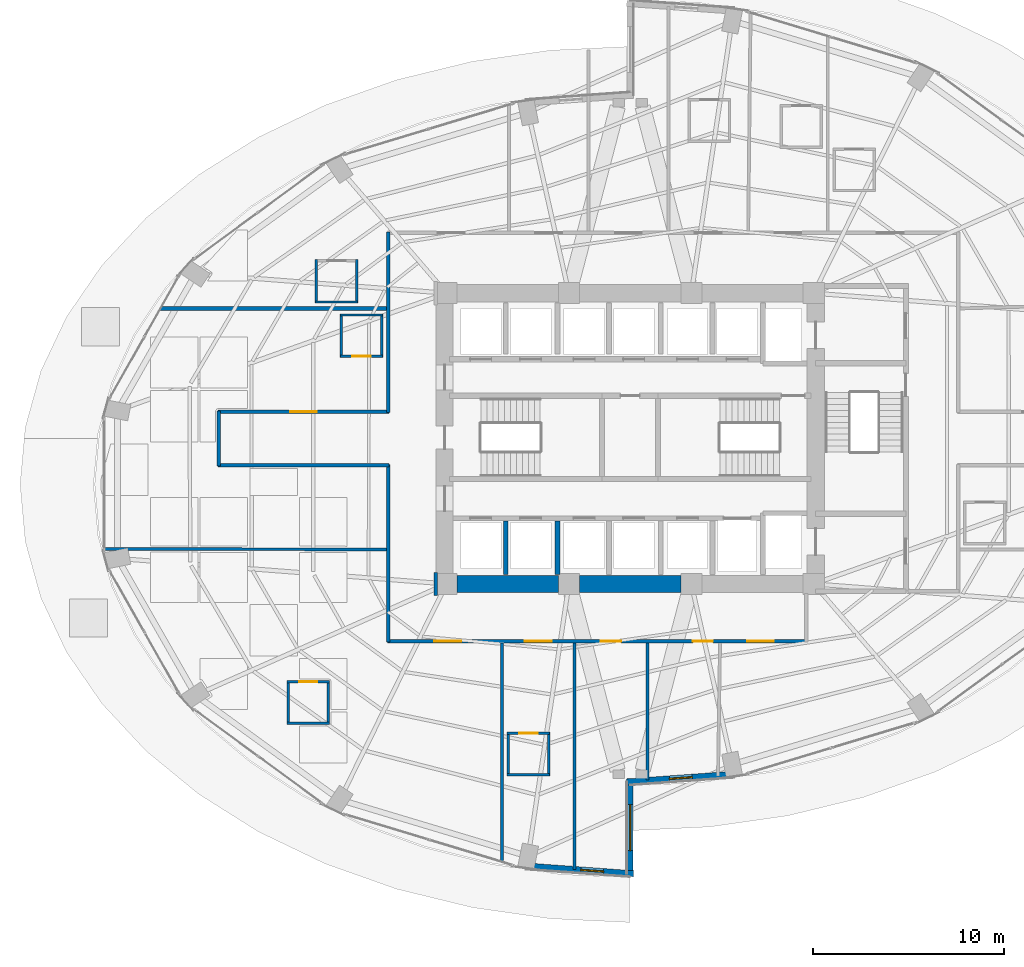
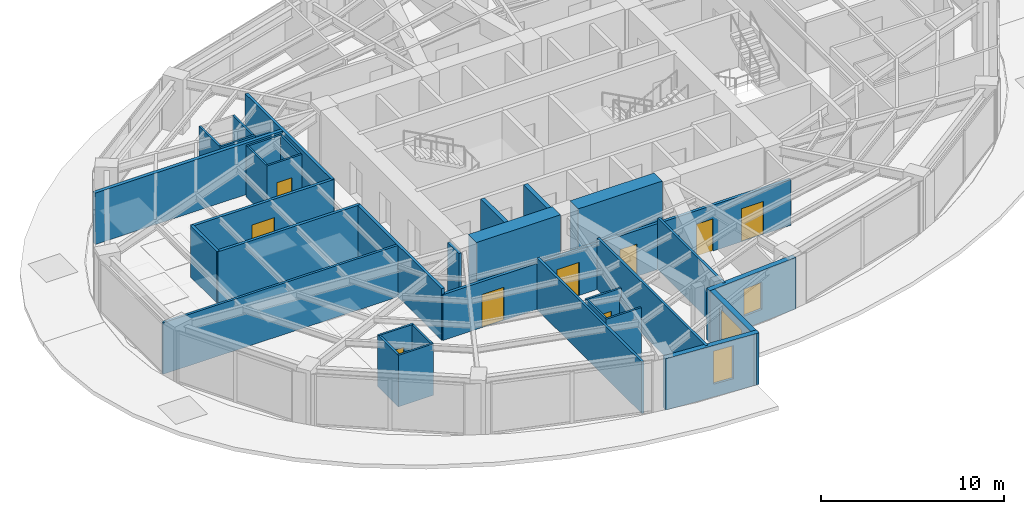
# One storey, part 20 of 25: 34 walls, 9 doors, 3 windows, 12 openings.
"""IFC4 building model written with IfcOpenShell, lengths in metres."""

from ifc_helpers import new_model, si_unit, direction, frame, frame_2d, origin, place, context, subcontext, project, spatial, rectangle, extrude, material, layer, layer_set, type_object, element, fill, save


model = new_model("IFC4")

# Units and contexts
model_context = context("Model", 3, precision=1e-05, world=origin(), true_north=direction((0.0, 1.0)))
body_context = subcontext(model_context, "Body", "Model", "MODEL_VIEW")
ifc_project = project(units=[si_unit("LENGTHUNIT", "METRE"), si_unit("AREAUNIT", "SQUARE_METRE"), si_unit("VOLUMEUNIT", "CUBIC_METRE"), si_unit("PLANEANGLEUNIT", "RADIAN"), si_unit("MASSUNIT", "GRAM", prefix="KILO")], contexts=[model_context])

# Site, building, storey
site_placement = place(None, origin())
site = spatial("IfcSite", under=ifc_project, at=site_placement, CompositionType="ELEMENT")
building_placement = place(site_placement, origin())
building = spatial("IfcBuilding", under=site, at=building_placement, Name="Lazwardi Medical Tower", CompositionType="ELEMENT")
storey_placement = place(building_placement, frame((0.0, 0.0, 25.199951171875)))
storey = spatial("IfcBuildingStorey", under=building, at=storey_placement, Name="L05", CompositionType="ELEMENT", Elevation=25.199951171875)

# Wall
ifc_material_1 = material(Name="Fire-rated gypsum board on steel stud", Category="steel")
ifc_layer_1 = layer(ifc_material_1, 0.179931640625)
ifc_layer_set_1 = layer_set([ifc_layer_1], Name="Fire-rated gypsum board on steel stud")
wall_type_1 = type_object("IfcWallType", Name="WL-COR-180", PredefinedType="PARTITIONING", material=ifc_layer_set_1)
wall_1_placement = place(storey_placement, frame((14.5, 26.56005859375, 0.0), z_axis=(0.0, 0.0, 1.0), x_axis=(0.0, 1.0, 0.0)))
element("IfcWall", 1, at=wall_1_placement, inside=storey, type_object=wall_type_1, Name="L05 Corridor partition 1", PredefinedType="PARTITIONING", context=body_context, shape_type="SweptSolid", body=[
    extrude(rectangle(XDim=2.8798828125, YDim=0.179931640625, at=frame_2d((1.43994140625, 0.0))), origin(), (0.0, 0.0, 1.0), 3.427978515625),
])

# Wall, opening, door
wall_2_placement = place(storey_placement, frame((14.4599609375, 29.39990234375, 0.0), z_axis=(0.0, 0.0, 1.0), x_axis=(1.0, 0.0, 0.0)))
wall_2 = element("IfcWall", 2, at=wall_2_placement, inside=storey, type_object=wall_type_1, Name="L05 Corridor partition 2", PredefinedType="PARTITIONING", context=body_context, shape_type="SweptSolid", body=[
    extrude(rectangle(XDim=8.929931640625, YDim=0.179931640625, at=frame_2d((4.46484375, 0.0))), origin(), (0.0, 0.0, 1.0), 3.427978515625),
])
opening_1_placement = place(wall_2_placement, frame((3.764892578125, 0.0, 0.0)))
opening_1 = element("IfcOpeningElement", 3, at=opening_1_placement, cuts=wall_2, Name="Opening D-L05-026", PredefinedType="OPENING", context=body_context, shape_type="SweptSolid", body=[
    extrude(rectangle(XDim=1.39990234375, YDim=2.199951171875, at=frame_2d((0.699951171875, 1.10009765625))), frame((0.0, 0.099853515625, 0.0), z_axis=(0.0, -1.0, 0.0), x_axis=(1.0, 0.0, 0.0)), (0.0, 0.0, 1.0), 0.199951171875),
])
ifc_material_2 = material(Name="Anti-microbial laminate hospital leaf")
door_type_1 = type_object("IfcDoorType", Name="DR-BED-1400", OperationType="NOTDEFINED", PredefinedType="DOOR", material=ifc_material_2)
door_1_placement = place(opening_1_placement, origin())
door_1 = element("IfcDoor", 4, at=door_1_placement, inside=storey, type_object=door_type_1, Name="L05 Inpatient Ward Door 13", OperationType="SINGLE_SWING_LEFT", OverallHeight=2.199951171875, OverallWidth=1.39990234375, PredefinedType="DOOR", context=body_context, shape_type="SweptSolid", body=[
    extrude(rectangle(XDim=1.39990234375, YDim=2.199951171875, at=frame_2d((0.699951171875, 1.10009765625))), frame((0.0, 0.02490234375, 0.0), z_axis=(0.0, -1.0, 0.0), x_axis=(1.0, 0.0, 0.0)), (0.0, 0.0, 1.0), 0.050048828125),
])
fill(opening_1, door_1)

# Walls
wall_3_placement = place(storey_placement, frame((23.35009765625, 29.360107421875, 0.0), z_axis=(0.0, 0.0, 1.0), x_axis=(0.0, 1.0, 0.0)))
element("IfcWall", 5, at=wall_3_placement, inside=storey, type_object=wall_type_1, Name="L05 Corridor partition 3", PredefinedType="PARTITIONING", context=body_context, shape_type="SweptSolid", body=[
    extrude(rectangle(XDim=9.429931640625, YDim=0.179931640625, at=frame_2d((4.71484375, 0.0))), origin(), (0.0, 0.0, 1.0), 3.427978515625),
])
wall_4_placement = place(storey_placement, frame((25.830078125, 21.010009765625, 0.0), z_axis=(0.0, 0.0, 1.0), x_axis=(0.0, -1.0, 0.0)))
element("IfcWall", 6, at=wall_4_placement, inside=storey, type_object=wall_type_1, Name="L05 Corridor partition 13", PredefinedType="PARTITIONING", context=body_context, shape_type="SweptSolid", body=[
    extrude(rectangle(XDim=1.219970703125, YDim=0.179931640625, at=frame_2d((0.60986328125, 0.0))), origin(), (0.0, 0.0, 1.0), 3.427978515625),
])

# Wall, openings, doors
wall_5_placement = place(storey_placement, frame((45.239990234375, 17.39990234375, 0.0), z_axis=(0.0, 0.0, 1.0), x_axis=(-1.0, 0.0, 0.0)))
wall_5 = element("IfcWall", 7, at=wall_5_placement, inside=storey, type_object=wall_type_1, Name="L05 Corridor partition 15", PredefinedType="PARTITIONING", context=body_context, shape_type="SweptSolid", body=[
    extrude(rectangle(XDim=21.929931640625, YDim=0.179931640625, at=frame_2d((10.96484375, 0.0))), origin(), (0.0, 0.0, 1.0), 3.052978515625),
])
opening_2_placement = place(wall_5_placement, frame((18.075927734375, 0.0, 0.0)))
opening_2 = element("IfcOpeningElement", 8, at=opening_2_placement, cuts=wall_5, Name="Opening D-L05-014", PredefinedType="OPENING", context=body_context, shape_type="SweptSolid", body=[
    extrude(rectangle(XDim=1.39990234375, YDim=2.199951171875, at=frame_2d((0.699951171875, 1.10009765625))), frame((0.0, 0.099853515625, 0.0), z_axis=(0.0, -1.0, 0.0), x_axis=(1.0, 0.0, 0.0)), (0.0, 0.0, 1.0), 0.199951171875),
])
opening_3_placement = place(wall_5_placement, frame((13.340087890625, 0.0, 0.0)))
opening_3 = element("IfcOpeningElement", 9, at=opening_3_placement, cuts=wall_5, Name="Opening D-L05-015", PredefinedType="OPENING", context=body_context, shape_type="SweptSolid", body=[
    extrude(rectangle(XDim=1.39990234375, YDim=2.199951171875, at=frame_2d((0.699951171875, 1.10009765625))), frame((0.0, 0.099853515625, 0.0), z_axis=(0.0, -1.0, 0.0), x_axis=(1.0, 0.0, 0.0)), (0.0, 0.0, 1.0), 0.199951171875),
])
opening_4_placement = place(wall_5_placement, frame((9.715087890625, 0.0, 0.0)))
opening_4 = element("IfcOpeningElement", 10, at=opening_4_placement, cuts=wall_5, Name="Opening D-L05-016", PredefinedType="OPENING", context=body_context, shape_type="SweptSolid", body=[
    extrude(rectangle(XDim=1.050048828125, YDim=2.14990234375, at=frame_2d((0.52490234375, 1.074951171875))), frame((0.0, 0.099853515625, 0.0), z_axis=(0.0, -1.0, 0.0), x_axis=(1.0, 0.0, 0.0)), (0.0, 0.0, 1.0), 0.199951171875),
])
opening_5_placement = place(wall_5_placement, frame((4.91552734375, 0.0, 0.0)))
opening_5 = element("IfcOpeningElement", 11, at=opening_5_placement, cuts=wall_5, Name="Opening D-L05-017", PredefinedType="OPENING", context=body_context, shape_type="SweptSolid", body=[
    extrude(rectangle(XDim=1.050048828125, YDim=2.14990234375, at=frame_2d((0.52490234375, 1.074951171875))), frame((0.0, 0.099853515625, 0.0), z_axis=(0.0, -1.0, 0.0), x_axis=(1.0, 0.0, 0.0)), (0.0, 0.0, 1.0), 0.199951171875),
])
opening_6_placement = place(wall_5_placement, frame((1.7294921875, 0.0, 0.0)))
opening_6 = element("IfcOpeningElement", 12, at=opening_6_placement, cuts=wall_5, Name="Opening D-L05-018", PredefinedType="OPENING", context=body_context, shape_type="SweptSolid", body=[
    extrude(rectangle(XDim=1.39990234375, YDim=2.199951171875, at=frame_2d((0.699951171875, 1.10009765625))), frame((0.0, 0.099853515625, 0.0), z_axis=(0.0, -1.0, 0.0), x_axis=(1.0, 0.0, 0.0)), (0.0, 0.0, 1.0), 0.199951171875),
])
door_2_placement = place(opening_2_placement, origin())
door_2 = element("IfcDoor", 13, at=door_2_placement, inside=storey, type_object=door_type_1, Name="L05 Inpatient Ward Door 01", OperationType="SINGLE_SWING_RIGHT", OverallHeight=2.199951171875, OverallWidth=1.39990234375, PredefinedType="DOOR", context=body_context, shape_type="SweptSolid", body=[
    extrude(rectangle(XDim=1.39990234375, YDim=2.199951171875, at=frame_2d((0.699951171875, 1.10009765625))), frame((0.0, 0.02490234375, 0.0), z_axis=(0.0, -1.0, 0.0), x_axis=(1.0, 0.0, 0.0)), (0.0, 0.0, 1.0), 0.050048828125),
])
fill(opening_2, door_2)
door_3_placement = place(opening_3_placement, origin())
door_3 = element("IfcDoor", 14, at=door_3_placement, inside=storey, type_object=door_type_1, Name="L05 Inpatient Ward Door 02", OperationType="SINGLE_SWING_RIGHT", OverallHeight=2.199951171875, OverallWidth=1.39990234375, PredefinedType="DOOR", context=body_context, shape_type="SweptSolid", body=[
    extrude(rectangle(XDim=1.39990234375, YDim=2.199951171875, at=frame_2d((0.699951171875, 1.10009765625))), frame((0.0, 0.02490234375, 0.0), z_axis=(0.0, -1.0, 0.0), x_axis=(1.0, 0.0, 0.0)), (0.0, 0.0, 1.0), 0.050048828125),
])
fill(opening_3, door_3)
door_4_placement = place(opening_6_placement, origin())
door_4 = element("IfcDoor", 15, at=door_4_placement, inside=storey, type_object=door_type_1, Name="L05 Inpatient Ward Door 05", OperationType="SINGLE_SWING_LEFT", OverallHeight=2.199951171875, OverallWidth=1.39990234375, PredefinedType="DOOR", context=body_context, shape_type="SweptSolid", body=[
    extrude(rectangle(XDim=1.39990234375, YDim=2.199951171875, at=frame_2d((0.699951171875, 1.10009765625))), frame((0.0, 0.02490234375, 0.0), z_axis=(0.0, -1.0, 0.0), x_axis=(1.0, 0.0, 0.0)), (0.0, 0.0, 1.0), 0.050048828125),
])
fill(opening_6, door_4)
door_type_2 = type_object("IfcDoorType", Name="DR-CLN-1050", OperationType="NOTDEFINED", PredefinedType="DOOR", material=ifc_material_2)
door_5_placement = place(opening_4_placement, origin())
door_5 = element("IfcDoor", 16, at=door_5_placement, inside=storey, type_object=door_type_2, Name="L05 Outpatient Clinic Door 03", OperationType="SINGLE_SWING_LEFT", OverallHeight=2.14990234375, OverallWidth=1.050048828125, PredefinedType="DOOR", context=body_context, shape_type="SweptSolid", body=[
    extrude(rectangle(XDim=1.050048828125, YDim=2.14990234375, at=frame_2d((0.52490234375, 1.074951171875))), frame((0.0, 0.02490234375, 0.0), z_axis=(0.0, -1.0, 0.0), x_axis=(1.0, 0.0, 0.0)), (0.0, 0.0, 1.0), 0.050048828125),
])
fill(opening_4, door_5)
door_6_placement = place(opening_5_placement, origin())
door_6 = element("IfcDoor", 17, at=door_6_placement, inside=storey, type_object=door_type_2, Name="L05 Patient Day Lounge Door 04", OperationType="SINGLE_SWING_RIGHT", OverallHeight=2.14990234375, OverallWidth=1.050048828125, PredefinedType="DOOR", context=body_context, shape_type="SweptSolid", body=[
    extrude(rectangle(XDim=1.050048828125, YDim=2.14990234375, at=frame_2d((0.52490234375, 1.074951171875))), frame((0.0, 0.02490234375, 0.0), z_axis=(0.0, -1.0, 0.0), x_axis=(1.0, 0.0, 0.0)), (0.0, 0.0, 1.0), 0.050048828125),
])
fill(opening_5, door_6)

# Walls
wall_6_placement = place(storey_placement, frame((23.35009765625, 17.360107421875, 0.0), z_axis=(0.0, 0.0, 1.0), x_axis=(0.0, 1.0, 0.0)))
element("IfcWall", 18, at=wall_6_placement, inside=storey, type_object=wall_type_1, Name="L05 Corridor partition 16", PredefinedType="PARTITIONING", context=body_context, shape_type="SweptSolid", body=[
    extrude(rectangle(XDim=9.27978515625, YDim=0.179931640625, at=frame_2d((4.639892578125, 0.0))), origin(), (0.0, 0.0, 1.0), 3.427978515625),
])
wall_7_placement = place(storey_placement, frame((23.389892578125, 26.60009765625, 0.0), z_axis=(0.0, 0.0, 1.0), x_axis=(-1.0, 0.0, 0.0)))
element("IfcWall", 19, at=wall_7_placement, inside=storey, type_object=wall_type_1, Name="L05 Corridor partition 17", PredefinedType="PARTITIONING", context=body_context, shape_type="SweptSolid", body=[
    extrude(rectangle(XDim=8.929931640625, YDim=0.179931640625, at=frame_2d((4.46484375, 0.0))), origin(), (0.0, 0.0, 1.0), 3.427978515625),
])
ifc_material_3 = material(Name="Concrete C80/95", Category="concrete")
ifc_layer_2 = layer(ifc_material_3, 0.89990234375)
ifc_layer_set_2 = layer_set([ifc_layer_2], Name="Concrete C80/95")
wall_type_2 = type_object("IfcWallType", Name="WL-CORE-900", PredefinedType="SHEAR", material=ifc_layer_set_2)
wall_8_placement = place(storey_placement, frame((26.949951171875, 20.39990234375, 0.0), z_axis=(0.0, 0.0, 1.0), x_axis=(1.0, 0.0, 0.0)))
element("IfcWall", 20, at=wall_8_placement, inside=storey, type_object=wall_type_2, Name="Core wall CW-S1 S1 L05", PredefinedType="SHEAR", context=body_context, shape_type="SweptSolid", body=[
    extrude(rectangle(XDim=5.300048828125, YDim=0.89990234375, at=frame_2d((2.64990234375, 0.0))), origin(), (0.0, 0.0, 1.0), 3.64794921875),
])
wall_9_placement = place(storey_placement, frame((33.35009765625, 20.39990234375, 0.0), z_axis=(0.0, 0.0, 1.0), x_axis=(1.0, 0.0, 0.0)))
element("IfcWall", 21, at=wall_9_placement, inside=storey, type_object=wall_type_2, Name="Core wall CW-S1 S2 L05", PredefinedType="SHEAR", context=body_context, shape_type="SweptSolid", body=[
    extrude(rectangle(XDim=5.2998046875, YDim=0.89990234375, at=frame_2d((2.64990234375, 0.0))), origin(), (0.0, 0.0, 1.0), 3.64794921875),
])

# Wall, opening, door
ifc_material_4 = material(Name="Moisture-resistant gypsum board partition")
ifc_layer_3 = layer(ifc_material_4, 0.125)
ifc_layer_set_3 = layer_set([ifc_layer_3], Name="Moisture-resistant gypsum board partition")
wall_type_3 = type_object("IfcWallType", Name="WL-ENS-125", PredefinedType="PARTITIONING", material=ifc_layer_set_3)
wall_10_placement = place(storey_placement, frame((18.057861328125, 15.285400390625, 0.0), z_axis=(0.0, 0.0, 1.0), x_axis=(1.0, 0.0, 0.0)))
wall_10 = element("IfcWall", 22, at=wall_10_placement, inside=storey, type_object=wall_type_3, Name="L05 En-suite wall 1N", PredefinedType="PARTITIONING", context=body_context, shape_type="SweptSolid", body=[
    extrude(rectangle(XDim=2.219970703125, YDim=0.125, at=frame_2d((1.10986328125, 0.0))), origin(), (0.0, 0.0, 1.0), 3.427978515625),
])
opening_7_placement = place(wall_10_placement, frame((0.635009765625, 0.0, 0.0)))
opening_7 = element("IfcOpeningElement", 23, at=opening_7_placement, cuts=wall_10, Name="Opening D-L05-002", PredefinedType="OPENING", context=body_context, shape_type="SweptSolid", body=[
    extrude(rectangle(XDim=0.949951171875, YDim=2.10009765625, at=frame_2d((0.47509765625, 1.050048828125))), frame((0.0, 0.072509765625, 0.0), z_axis=(0.0, -1.0, 0.0), x_axis=(1.0, 0.0, 0.0)), (0.0, 0.0, 1.0), 0.14501953125),
])
ifc_material_5 = material(Name="Moisture-resistant laminate door leaf")
door_type_3 = type_object("IfcDoorType", Name="DR-ENS-950", OperationType="NOTDEFINED", PredefinedType="DOOR", material=ifc_material_5)
door_7_placement = place(opening_7_placement, origin())
door_7 = element("IfcDoor", 24, at=door_7_placement, inside=storey, type_object=door_type_3, Name="L05 En-suite Door 01", OperationType="SINGLE_SWING_LEFT", OverallHeight=2.10009765625, OverallWidth=0.949951171875, PredefinedType="DOOR", context=body_context, shape_type="SweptSolid", body=[
    extrude(rectangle(XDim=0.949951171875, YDim=2.10009765625, at=frame_2d((0.47509765625, 1.050048828125))), frame((0.0, 0.02490234375, 0.0), z_axis=(0.0, -1.0, 0.0), x_axis=(1.0, 0.0, 0.0)), (0.0, 0.0, 1.0), 0.050048828125),
])
fill(opening_7, door_7)

# Walls
wall_11_placement = place(storey_placement, frame((18.057861328125, 13.12548828125, 0.0), z_axis=(0.0, 0.0, 1.0), x_axis=(1.0, 0.0, 0.0)))
element("IfcWall", 25, at=wall_11_placement, inside=storey, type_object=wall_type_3, Name="L05 En-suite wall 1S", PredefinedType="PARTITIONING", context=body_context, shape_type="SweptSolid", body=[
    extrude(rectangle(XDim=2.219970703125, YDim=0.125, at=frame_2d((1.10986328125, 0.0))), origin(), (0.0, 0.0, 1.0), 3.427978515625),
])
for number, where, z_axis, x_axis, name in (
    (26, (20.218017578125, 13.0654296875, 0.0), (0.0, 0.0, 1.0), (0.0, 1.0, 0.0), "L05 En-suite wall 1E"),
    (27, (18.117919921875, 13.0654296875, 0.0), (0.0, 0.0, 1.0), (0.0, 1.0, 0.0), "L05 En-suite wall 1W"),
):
    element("IfcWall", number, at=place(storey_placement, frame(where, z_axis=z_axis, x_axis=x_axis)), inside=storey, type_object=wall_type_3, Name=name, PredefinedType="PARTITIONING", context=body_context, shape_type="SweptSolid", body=[
        extrude(rectangle(XDim=2.280029296875, YDim=0.125, at=frame_2d((1.14013671875, 0.0))), origin(), (0.0, 0.0, 1.0), 3.427978515625),
    ])

# Wall, opening, door
wall_12_placement = place(storey_placement, frame((29.574951171875, 12.58935546875, 0.0), z_axis=(0.0, 0.0, 1.0), x_axis=(1.0, 0.0, 0.0)))
wall_12 = element("IfcWall", 28, at=wall_12_placement, inside=storey, type_object=wall_type_3, Name="L05 En-suite wall 2N", PredefinedType="PARTITIONING", context=body_context, shape_type="SweptSolid", body=[
    extrude(rectangle(XDim=2.219970703125, YDim=0.125, at=frame_2d((1.10986328125, 0.0))), origin(), (0.0, 0.0, 1.0), 3.427978515625),
])
opening_8_placement = place(wall_12_placement, frame((0.635009765625, 0.0, 0.0)))
opening_8 = element("IfcOpeningElement", 29, at=opening_8_placement, cuts=wall_12, Name="Opening D-L05-003", PredefinedType="OPENING", context=body_context, shape_type="SweptSolid", body=[
    extrude(rectangle(XDim=0.949951171875, YDim=2.10009765625, at=frame_2d((0.47509765625, 1.050048828125))), frame((0.0, 0.072509765625, 0.0), z_axis=(0.0, -1.0, 0.0), x_axis=(1.0, 0.0, 0.0)), (0.0, 0.0, 1.0), 0.14501953125),
])
door_8_placement = place(opening_8_placement, origin())
door_8 = element("IfcDoor", 30, at=door_8_placement, inside=storey, type_object=door_type_3, Name="L05 En-suite Door 02", OperationType="SINGLE_SWING_LEFT", OverallHeight=2.10009765625, OverallWidth=0.949951171875, PredefinedType="DOOR", context=body_context, shape_type="SweptSolid", body=[
    extrude(rectangle(XDim=0.949951171875, YDim=2.10009765625, at=frame_2d((0.47509765625, 1.050048828125))), frame((0.0, 0.02490234375, 0.0), z_axis=(0.0, -1.0, 0.0), x_axis=(1.0, 0.0, 0.0)), (0.0, 0.0, 1.0), 0.050048828125),
])
fill(opening_8, door_8)

# Walls
wall_13_placement = place(storey_placement, frame((29.574951171875, 10.42919921875, 0.0), z_axis=(0.0, 0.0, 1.0), x_axis=(1.0, 0.0, 0.0)))
element("IfcWall", 31, at=wall_13_placement, inside=storey, type_object=wall_type_3, Name="L05 En-suite wall 2S", PredefinedType="PARTITIONING", context=body_context, shape_type="SweptSolid", body=[
    extrude(rectangle(XDim=2.219970703125, YDim=0.125, at=frame_2d((1.10986328125, 0.0))), origin(), (0.0, 0.0, 1.0), 3.427978515625),
])
wall_14_placement = place(storey_placement, frame((31.735107421875, 10.369384765625, 0.0), z_axis=(0.0, 0.0, 1.0), x_axis=(0.0, 1.0, 0.0)))
element("IfcWall", 32, at=wall_14_placement, inside=storey, type_object=wall_type_3, Name="L05 En-suite wall 2E", PredefinedType="PARTITIONING", context=body_context, shape_type="SweptSolid", body=[
    extrude(rectangle(XDim=2.280029296875, YDim=0.125, at=frame_2d((1.14013671875, 0.0))), origin(), (0.0, 0.0, 1.0), 2.81298828125),
])
wall_15_placement = place(storey_placement, frame((29.635009765625, 10.369384765625, 0.0), z_axis=(0.0, 0.0, 1.0), x_axis=(0.0, 1.0, 0.0)))
element("IfcWall", 33, at=wall_15_placement, inside=storey, type_object=wall_type_3, Name="L05 En-suite wall 2W", PredefinedType="PARTITIONING", context=body_context, shape_type="SweptSolid", body=[
    extrude(rectangle(XDim=2.280029296875, YDim=0.125, at=frame_2d((1.14013671875, 0.0))), origin(), (0.0, 0.0, 1.0), 3.427978515625),
])
wall_16_placement = place(storey_placement, frame((19.53759765625, 35.139892578125, 0.0), z_axis=(0.0, 0.0, 1.0), x_axis=(1.0, 0.0, 0.0)))
element("IfcWall", 34, at=wall_16_placement, inside=storey, type_object=wall_type_3, Name="L05 En-suite wall 12S", PredefinedType="PARTITIONING", context=body_context, shape_type="SweptSolid", body=[
    extrude(rectangle(XDim=2.219970703125, YDim=0.125, at=frame_2d((1.10986328125, 0.0))), origin(), (0.0, 0.0, 1.0), 3.427978515625),
])
for number, where, z_axis, x_axis, name in (
    (35, (21.697509765625, 35.080078125, 0.0), (0.0, 0.0, 1.0), (0.0, 1.0, 0.0), "L05 En-suite wall 12E"),
    (36, (19.597412109375, 35.080078125, 0.0), (0.0, 0.0, 1.0), (0.0, 1.0, 0.0), "L05 En-suite wall 12W"),
):
    element("IfcWall", number, at=place(storey_placement, frame(where, z_axis=z_axis, x_axis=x_axis)), inside=storey, type_object=wall_type_3, Name=name, PredefinedType="PARTITIONING", context=body_context, shape_type="SweptSolid", body=[
        extrude(rectangle(XDim=2.280029296875, YDim=0.125, at=frame_2d((1.14013671875, 0.0))), origin(), (0.0, 0.0, 1.0), 3.427978515625),
    ])
wall_17_placement = place(storey_placement, frame((20.844970703125, 34.4599609375, 0.0), z_axis=(0.0, 0.0, 1.0), x_axis=(1.0, 0.0, 0.0)))
element("IfcWall", 37, at=wall_17_placement, inside=storey, type_object=wall_type_3, Name="L05 En-suite wall 13N", PredefinedType="PARTITIONING", context=body_context, shape_type="SweptSolid", body=[
    extrude(rectangle(XDim=2.219970703125, YDim=0.125, at=frame_2d((1.10986328125, 0.0))), origin(), (0.0, 0.0, 1.0), 3.427978515625),
])

# Wall, opening, door
wall_18_placement = place(storey_placement, frame((20.844970703125, 32.300048828125, 0.0), z_axis=(0.0, 0.0, 1.0), x_axis=(1.0, 0.0, 0.0)))
wall_18 = element("IfcWall", 38, at=wall_18_placement, inside=storey, type_object=wall_type_3, Name="L05 En-suite wall 13S", PredefinedType="PARTITIONING", context=body_context, shape_type="SweptSolid", body=[
    extrude(rectangle(XDim=2.219970703125, YDim=0.125, at=frame_2d((1.10986328125, 0.0))), origin(), (0.0, 0.0, 1.0), 3.427978515625),
])
opening_9_placement = place(wall_18_placement, frame((0.635009765625, 0.0, 0.0)))
opening_9 = element("IfcOpeningElement", 39, at=opening_9_placement, cuts=wall_18, Name="Opening D-L05-009", PredefinedType="OPENING", context=body_context, shape_type="SweptSolid", body=[
    extrude(rectangle(XDim=0.949951171875, YDim=2.10009765625, at=frame_2d((0.47509765625, 1.050048828125))), frame((0.0, 0.072509765625, 0.0), z_axis=(0.0, -1.0, 0.0), x_axis=(1.0, 0.0, 0.0)), (0.0, 0.0, 1.0), 0.14501953125),
])
door_9_placement = place(opening_9_placement, origin())
door_9 = element("IfcDoor", 40, at=door_9_placement, inside=storey, type_object=door_type_3, Name="L05 En-suite Door 13", OperationType="SINGLE_SWING_RIGHT", OverallHeight=2.10009765625, OverallWidth=0.949951171875, PredefinedType="DOOR", context=body_context, shape_type="SweptSolid", body=[
    extrude(rectangle(XDim=0.949951171875, YDim=2.10009765625, at=frame_2d((0.47509765625, 1.050048828125))), frame((0.0, 0.02490234375, 0.0), z_axis=(0.0, -1.0, 0.0), x_axis=(1.0, 0.0, 0.0)), (0.0, 0.0, 1.0), 0.050048828125),
])
fill(opening_9, door_9)

# Walls
for number, where, z_axis, x_axis, name in (
    (41, (23.0048828125, 32.239990234375, 0.0), (0.0, 0.0, 1.0), (0.0, 1.0, 0.0), "L05 En-suite wall 13E"),
    (42, (20.905029296875, 32.239990234375, 0.0), (0.0, 0.0, 1.0), (0.0, 1.0, 0.0), "L05 En-suite wall 13W"),
):
    element("IfcWall", number, at=place(storey_placement, frame(where, z_axis=z_axis, x_axis=x_axis)), inside=storey, type_object=wall_type_3, Name=name, PredefinedType="PARTITIONING", context=body_context, shape_type="SweptSolid", body=[
        extrude(rectangle(XDim=2.280029296875, YDim=0.125, at=frame_2d((1.14013671875, 0.0))), origin(), (0.0, 0.0, 1.0), 3.427978515625),
    ])

# Wall, opening, window
ifc_material_6 = material(Name="Precast concrete C45/55", Category="concrete")
ifc_layer_4 = layer(ifc_material_6, 0.320068359375)
ifc_layer_set_4 = layer_set([ifc_layer_4], Name="Precast concrete C45/55")
wall_type_4 = type_object("IfcWallType", Name="WL-IWAN-320", PredefinedType="SOLIDWALL", material=ifc_layer_set_4)
wall_19_placement = place(storey_placement, frame((35.820556640625, 10.047119140625, 0.0), z_axis=(0.0, 0.0, 1.0), x_axis=(0.997422321809, 0.071754525696, 0.0)))
wall_19 = element("IfcWall", 43, at=wall_19_placement, inside=storey, type_object=wall_type_4, Name="L05 Iwan Portal Return Wall SE_ret", PredefinedType="SOLIDWALL", context=body_context, shape_type="SweptSolid", body=[
    extrude(rectangle(XDim=5.67529296875, YDim=0.320068359375, at=frame_2d((2.837646484375, 0.0))), origin(), (0.0, 0.0, 1.0), 3.427978515625),
])
opening_10_placement = place(wall_19_placement, frame((2.23779296875, 0.0, 0.85009765625)))
opening_10 = element("IfcOpeningElement", 44, at=opening_10_placement, cuts=wall_19, Name="Opening WN-04", PredefinedType="OPENING", context=body_context, shape_type="SweptSolid", body=[
    extrude(rectangle(XDim=1.199951171875, YDim=1.800048828125, at=frame_2d((0.60009765625, 0.89990234375))), frame((0.0, 0.169921875, 0.0), z_axis=(0.0, -1.0, 0.0), x_axis=(1.0, 0.0, 0.0)), (0.0, 0.0, 1.0), 0.340087890625),
])
ifc_material_7 = material(Name="Low-e bronze solar control double glazing", Category="glass")
window_type_1 = type_object("IfcWindowType", Name="WIN-DRUM-1200", PartitioningType="SINGLE_PANEL", PredefinedType="WINDOW", material=ifc_material_7)
window_1_placement = place(opening_10_placement, origin())
window_1 = element("IfcWindow", 45, at=window_1_placement, inside=storey, type_object=window_type_1, Name="L05 Iwan Slot Window SE_ret", OverallHeight=1.800048828125, OverallWidth=1.199951171875, PartitioningType="SINGLE_PANEL", PredefinedType="WINDOW", context=body_context, shape_type="SweptSolid", body=[
    extrude(rectangle(XDim=1.199951171875, YDim=1.800048828125, at=frame_2d((0.60009765625, 0.89990234375))), frame((0.0, 0.030029296875, 0.0), z_axis=(0.0, -1.0, 0.0), x_axis=(1.0, 0.0, 0.0)), (0.0, 0.0, 1.0), 0.06005859375),
])
fill(opening_10, window_1)

wall_20_placement = place(storey_placement, frame((30.518798828125, 5.654296875, 0.0), z_axis=(0.0, 0.0, 1.0), x_axis=(0.997421878774, -0.071760683825, 0.0)))
wall_20 = element("IfcWall", 46, at=wall_20_placement, inside=storey, type_object=wall_type_4, Name="L05 Iwan Portal Return Wall SW_ret", PredefinedType="SOLIDWALL", context=body_context, shape_type="SweptSolid", body=[
    extrude(rectangle(XDim=5.6748046875, YDim=0.320068359375, at=frame_2d((2.83740234375, 0.0))), origin(), (0.0, 0.0, 1.0), 3.427978515625),
])
opening_11_placement = place(wall_20_placement, frame((2.902587890625, 0.0, 0.85009765625)))
opening_11 = element("IfcOpeningElement", 47, at=opening_11_placement, cuts=wall_20, Name="Opening WN-01", PredefinedType="OPENING", context=body_context, shape_type="SweptSolid", body=[
    extrude(rectangle(XDim=1.199951171875, YDim=2.199951171875, at=frame_2d((0.60009765625, 1.10009765625))), frame((0.0, 0.169921875, 0.0), z_axis=(0.0, -1.0, 0.0), x_axis=(1.0, 0.0, 0.0)), (0.0, 0.0, 1.0), 0.340087890625),
])
window_type_2 = type_object("IfcWindowType", Name="WIN-IW-1200", PartitioningType="SINGLE_PANEL", PredefinedType="WINDOW", material=ifc_material_7)
window_2_placement = place(opening_11_placement, origin())
window_2 = element("IfcWindow", 48, at=window_2_placement, inside=storey, type_object=window_type_2, Name="L05 Iwan Slot Window SW_ret", OverallHeight=2.199951171875, OverallWidth=1.199951171875, PartitioningType="SINGLE_PANEL", PredefinedType="WINDOW", context=body_context, shape_type="SweptSolid", body=[
    extrude(rectangle(XDim=1.199951171875, YDim=2.199951171875, at=frame_2d((0.60009765625, 1.10009765625))), frame((0.0, 0.030029296875, 0.0), z_axis=(0.0, -1.0, 0.0), x_axis=(1.0, 0.0, 0.0)), (0.0, 0.0, 1.0), 0.06005859375),
])
fill(opening_11, window_2)

wall_21_placement = place(storey_placement, frame((36.0, 5.10009765625, 0.0), z_axis=(0.0, 0.0, 1.0), x_axis=(0.0, 1.0, 0.0)))
wall_21 = element("IfcWall", 49, at=wall_21_placement, inside=storey, type_object=wall_type_4, Name="L05 Turquoise Tilework Iwan Seam Wall S_seam", PredefinedType="SOLIDWALL", context=body_context, shape_type="SweptSolid", body=[
    extrude(rectangle(XDim=5.119873046875, YDim=0.320068359375, at=frame_2d((2.56005859375, 0.0))), origin(), (0.0, 0.0, 1.0), 3.427978515625),
])
opening_12_placement = place(wall_21_placement, frame((1.360107421875, 0.0, 0.840087890625)))
opening_12 = element("IfcOpeningElement", 50, at=opening_12_placement, cuts=wall_21, Name="Opening WN-02", PredefinedType="OPENING", context=body_context, shape_type="SweptSolid", body=[
    extrude(rectangle(XDim=2.39990234375, YDim=2.0400390625, at=frame_2d((1.199951171875, 1.02001953125))), frame((0.0, 0.169921875, 0.0), z_axis=(0.0, -1.0, 0.0), x_axis=(1.0, 0.0, 0.0)), (0.0, 0.0, 1.0), 0.340087890625),
])
window_type_3 = type_object("IfcWindowType", Name="WIN-IW-2400", PartitioningType="SINGLE_PANEL", PredefinedType="WINDOW", material=ifc_material_7)
window_3_placement = place(opening_12_placement, origin())
window_3 = element("IfcWindow", 51, at=window_3_placement, inside=storey, type_object=window_type_3, Name="L05 Iwan Seam Window S_seam", OverallHeight=2.0400390625, OverallWidth=2.39990234375, PartitioningType="SINGLE_PANEL", PredefinedType="WINDOW", context=body_context, shape_type="SweptSolid", body=[
    extrude(rectangle(XDim=2.39990234375, YDim=2.0400390625, at=frame_2d((1.199951171875, 1.02001953125))), frame((0.0, 0.030029296875, 0.0), z_axis=(0.0, -1.0, 0.0), x_axis=(1.0, 0.0, 0.0)), (0.0, 0.0, 1.0), 0.06005859375),
])
fill(opening_12, window_3)

# Walls
ifc_material_8 = material(Name="Autoclaved aerated concrete blockwork", Category="masonry")
ifc_layer_5 = layer(ifc_material_8, 0.25)
ifc_layer_set_5 = layer_set([ifc_layer_5], Name="Autoclaved aerated concrete blockwork")
wall_type_5 = type_object("IfcWallType", Name="WL-SHAFT-250", PredefinedType="SOLIDWALL", material=ifc_layer_set_5)
for number, where, z_axis, x_axis, name in (
    (52, (29.5, 20.89990234375, 0.0), (0.0, 0.0, 1.0), (0.0, 1.0, 0.0), "L05 South hoistway divider"),
    (53, (32.199951171875, 20.89990234375, 0.0), (0.0, 0.0, 1.0), (0.0, 1.0, 0.0), "L05 South hoistway divider"),
):
    element("IfcWall", number, at=place(storey_placement, frame(where, z_axis=z_axis, x_axis=x_axis)), inside=storey, type_object=wall_type_5, Name=name, PredefinedType="SOLIDWALL", context=body_context, shape_type="SweptSolid", body=[
        extrude(rectangle(XDim=2.800048828125, YDim=0.25, at=frame_2d((1.39990234375, 0.0))), origin(), (0.0, 0.0, 1.0), 3.427978515625),
    ])
ifc_layer_6 = layer(ifc_material_1, 0.219970703125)
ifc_layer_set_6 = layer_set([ifc_layer_6], Name="Fire-rated gypsum board on steel stud")
wall_type_6 = type_object("IfcWallType", Name="WL-SMK-220", PredefinedType="PARTITIONING", material=ifc_layer_set_6)
wall_22_placement = place(storey_placement, frame((11.45068359375, 34.800048828125, 0.0), z_axis=(0.0, 0.0, 1.0), x_axis=(1.0, 0.0, 0.0)))
element("IfcWall", 54, at=wall_22_placement, inside=storey, type_object=wall_type_6, Name="L05 Room partition 2", PredefinedType="PARTITIONING", context=body_context, shape_type="SweptSolid", body=[
    extrude(rectangle(XDim=11.809326171875, YDim=0.219970703125, at=frame_2d((5.90478515625, 0.0))), origin(), (0.0, 0.0, 1.0), 3.427978515625),
])
ifc_material_9 = material(Name="Acoustic gypsum board partition")
ifc_layer_7 = layer(ifc_material_9, 0.14990234375)
ifc_layer_set_7 = layer_set([ifc_layer_7], Name="Acoustic gypsum board partition")
wall_type_7 = type_object("IfcWallType", Name="WL-WRD-150", PredefinedType="PARTITIONING", material=ifc_layer_set_7)
wall_23_placement = place(storey_placement, frame((8.492919921875, 22.2314453125, 0.0), z_axis=(0.0, 0.0, 1.0), x_axis=(0.999997760873, -0.002116187438, 0.0)))
element("IfcWall", 55, at=wall_23_placement, inside=storey, type_object=wall_type_7, Name="L05 Room partition 1", PredefinedType="PARTITIONING", context=body_context, shape_type="SweptSolid", body=[
    extrude(rectangle(XDim=14.76708984375, YDim=0.14990234375, at=frame_2d((7.383544921875, 0.0))), origin(), (0.0, 0.0, 1.0), 3.427978515625),
])
wall_24_placement = place(storey_placement, frame((29.300048828125, 5.875732421875, 0.0), z_axis=(0.0, 0.0, 1.0), x_axis=(0.0, 1.0, 0.0)))
element("IfcWall", 56, at=wall_24_placement, inside=storey, type_object=wall_type_7, Name="L05 Room partition 10", PredefinedType="PARTITIONING", context=body_context, shape_type="SweptSolid", body=[
    extrude(rectangle(XDim=11.434326171875, YDim=0.14990234375, at=frame_2d((5.71728515625, 0.0))), origin(), (0.0, 0.0, 1.0), 3.427978515625),
])
wall_25_placement = place(storey_placement, frame((33.10009765625, 5.47119140625, 0.0), z_axis=(0.0, 0.0, 1.0), x_axis=(0.0, 1.0, 0.0)))
element("IfcWall", 57, at=wall_25_placement, inside=storey, type_object=wall_type_7, Name="L05 Room partition 11", PredefinedType="PARTITIONING", context=body_context, shape_type="SweptSolid", body=[
    extrude(rectangle(XDim=11.8388671875, YDim=0.14990234375, at=frame_2d((5.91943359375, 0.0))), origin(), (0.0, 0.0, 1.0), 3.427978515625),
])
wall_26_placement = place(storey_placement, frame((36.89990234375, 10.149658203125, 0.0), z_axis=(0.0, 0.0, 1.0), x_axis=(0.0, 1.0, 0.0)))
element("IfcWall", 58, at=wall_26_placement, inside=storey, type_object=wall_type_7, Name="L05 Room partition 12", PredefinedType="PARTITIONING", context=body_context, shape_type="SweptSolid", body=[
    extrude(rectangle(XDim=7.160400390625, YDim=0.14990234375, at=frame_2d((3.580078125, 0.0))), origin(), (0.0, 0.0, 1.0), 3.427978515625),
])

save(model, "model.ifc")
